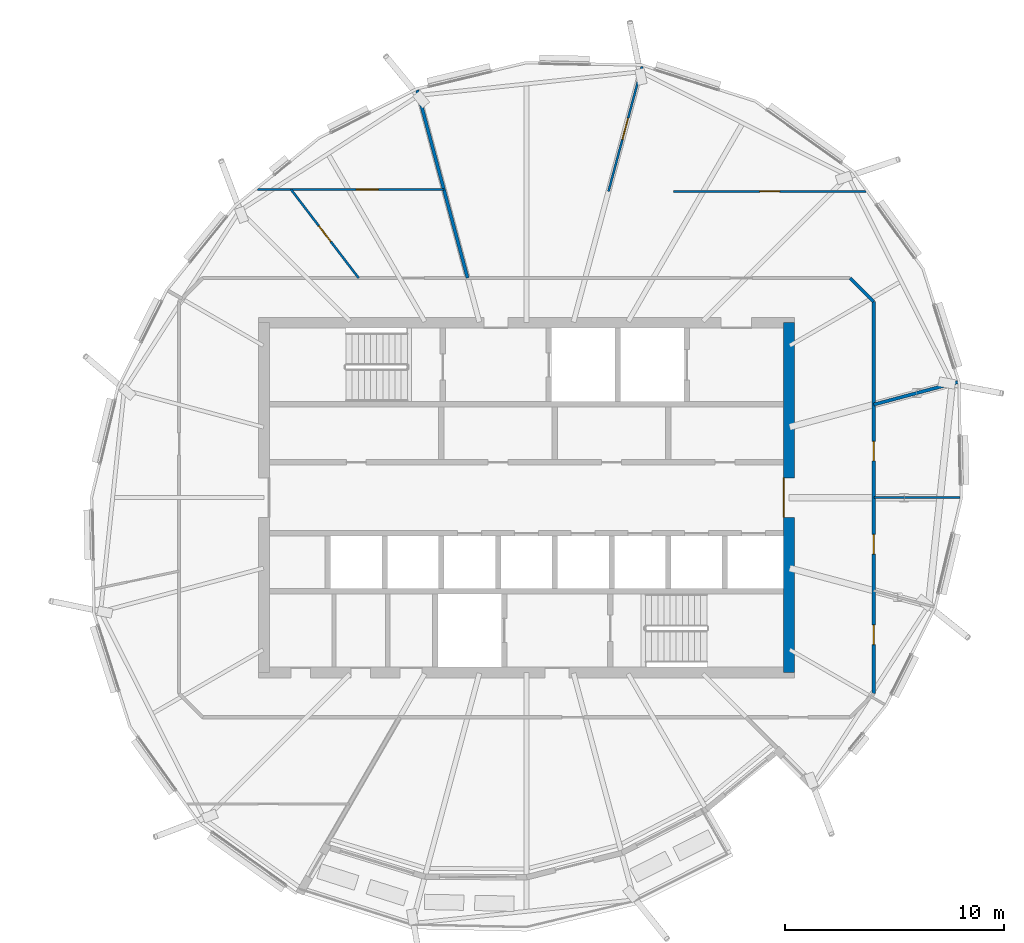
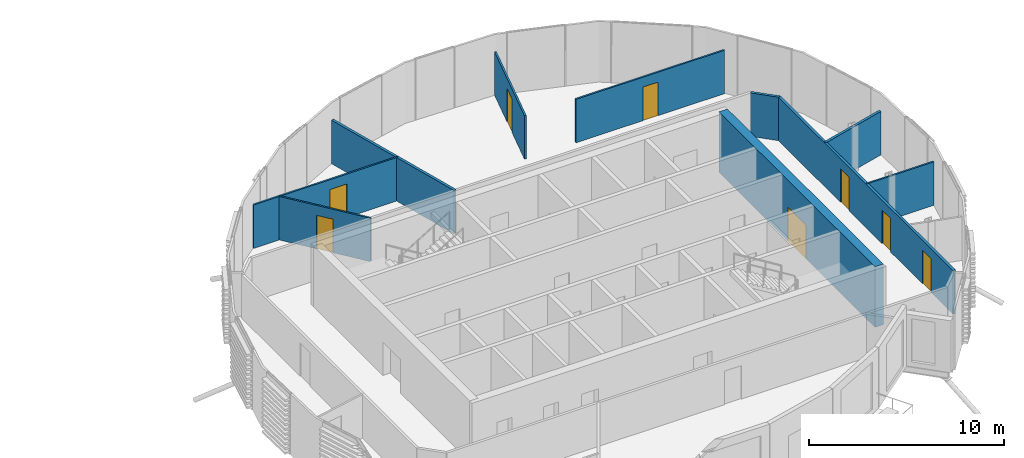
# One storey, part 25 of 41: 10 walls, 8 doors, 8 openings.
"""IFC4 building model written with IfcOpenShell, lengths in metres."""

from ifc_helpers import new_model, si_unit, direction, frame, frame_2d, origin, place, context, subcontext, project, spatial, rectangle, extrude, material, layer, layer_set, type_object, element, fill, save


model = new_model("IFC4")

# Units and contexts
model_context = context("Model", 3, precision=1e-05, world=origin(), true_north=direction((0.0, 1.0)))
body_context = subcontext(model_context, "Body", "Model", "MODEL_VIEW")
ifc_project = project(units=[si_unit("LENGTHUNIT", "METRE"), si_unit("AREAUNIT", "SQUARE_METRE"), si_unit("VOLUMEUNIT", "CUBIC_METRE"), si_unit("PLANEANGLEUNIT", "RADIAN"), si_unit("MASSUNIT", "GRAM", prefix="KILO")], contexts=[model_context])

# Site, building, storey
site_placement = place(None, origin())
site = spatial("IfcSite", under=ifc_project, at=site_placement, CompositionType="ELEMENT")
building_placement = place(site_placement, origin())
building = spatial("IfcBuilding", under=site, at=building_placement, Name="Rimbun Link Towers", CompositionType="ELEMENT")
storey_placement = place(building_placement, frame((0.0, 0.0, 210.5)))
storey = spatial("IfcBuildingStorey", under=building, at=storey_placement, Name="L51", CompositionType="ELEMENT", Elevation=210.5)

# Wall, opening, door
ifc_material_1 = material(Name="Concrete C60/75", Category="concrete")
ifc_layer_1 = layer(ifc_material_1, 0.5)
ifc_layer_set_1 = layer_set([ifc_layer_1], Name="Core shear wall 500")
wall_type_1 = type_object("IfcWallType", Name="Core shear wall 500", PredefinedType="SHEAR", material=ifc_layer_set_1)
wall_1_placement = place(storey_placement, frame((43.75, -8.0, 0.0), z_axis=(0.0, 0.0, 1.0), x_axis=(0.0, 1.0, 0.0)))
wall_1 = element("IfcWall", 1, at=wall_1_placement, inside=storey, type_object=wall_type_1, Name="L51 T2 core wall E", PredefinedType="SHEAR", context=body_context, shape_type="SweptSolid", body=[
    extrude(rectangle(XDim=16.0, YDim=0.5, at=frame_2d((8.0, 0.0))), origin(), (0.0, 0.0, 1.0), 3.800048828125),
])
opening_1_placement = place(wall_1_placement, frame((7.10009765625, 0.0, 0.0)))
opening_1 = element("IfcOpeningElement", 2, at=opening_1_placement, cuts=wall_1, Name="Opening C2DCL01E", PredefinedType="OPENING", context=body_context, shape_type="SweptSolid", body=[
    extrude(rectangle(XDim=1.800048828125, YDim=2.10009765625, at=frame_2d((0.89990234375, 1.050048828125))), frame((0.0, 0.260009765625, 0.0), z_axis=(0.0, -1.0, 0.0), x_axis=(1.0, 0.0, 0.0)), (0.0, 0.0, 1.0), 0.52001953125),
])
ifc_material_2 = material(Name="Steel fire door set", Category="steel")
door_type_1 = type_object("IfcDoorType", Name="Core lobby door double", OperationType="DOUBLE_DOOR_SINGLE_SWING", PredefinedType="DOOR", material=ifc_material_2)
door_1_placement = place(opening_1_placement, origin())
door_1 = element("IfcDoor", 3, at=door_1_placement, inside=storey, type_object=door_type_1, Name="L51 T2 lift lobby door", OperationType="DOUBLE_DOOR_SINGLE_SWING", OverallHeight=2.10009765625, OverallWidth=1.800048828125, PredefinedType="DOOR", context=body_context, shape_type="SweptSolid", body=[
    extrude(rectangle(XDim=1.800048828125, YDim=2.10009765625, at=frame_2d((0.89990234375, 1.050048828125))), frame((0.0, 0.25, 0.0), z_axis=(0.0, -1.0, 0.0), x_axis=(1.0, 0.0, 0.0)), (0.0, 0.0, 1.0), 0.050048828125),
])
fill(opening_1, door_1)

# Wall
ifc_material_3 = material(Name="Plasterboard on steel stud, mineral wool", Category="steel")
ifc_layer_2 = layer(ifc_material_3, 0.14990234375)
ifc_layer_set_2 = layer_set([ifc_layer_2], Name="Corridor wall EI 30 150 mm")
wall_type_2 = type_object("IfcWallType", Name="Corridor wall EI 30 150 mm", PredefinedType="PARTITIONING", material=ifc_layer_set_2)
wall_2_placement = place(storey_placement, frame((47.635009765625, 8.963623046875, 0.0), z_axis=(0.0, 0.0, 1.0), x_axis=(-0.707106781187, 0.707106781187, 0.0)))
element("IfcWall", 4, at=wall_2_placement, inside=storey, type_object=wall_type_2, Name="Corridor wall EI 30 150 mm", PredefinedType="PARTITIONING", context=body_context, shape_type="SweptSolid", body=[
    extrude(rectangle(XDim=1.529296875, YDim=0.14990234375, at=frame_2d((0.7646484375, 0.0))), origin(), (0.0, 0.0, 1.0), 2.721923828125),
])

# Wall, openings, doors
wall_3_placement = place(storey_placement, frame((47.635009765625, 8.963623046875, 0.0), z_axis=(0.0, 0.0, 1.0), x_axis=(0.0, -1.0, 0.0)))
wall_3 = element("IfcWall", 5, at=wall_3_placement, inside=storey, type_object=wall_type_2, Name="Corridor wall EI 30 150 mm", PredefinedType="PARTITIONING", context=body_context, shape_type="SweptSolid", body=[
    extrude(rectangle(XDim=17.92724609375, YDim=0.14990234375, at=frame_2d((8.963623046875, 0.0))), origin(), (0.0, 0.0, 1.0), 2.721923828125),
])
opening_2_placement = place(wall_3_placement, frame((14.781982421875, 0.0, 0.0)))
opening_2 = element("IfcOpeningElement", 6, at=opening_2_placement, cuts=wall_3, Name="Opening D02", PredefinedType="OPENING", context=body_context, shape_type="SweptSolid", body=[
    extrude(rectangle(XDim=0.89990234375, YDim=2.10009765625, at=frame_2d((0.449951171875, 1.050048828125))), frame((0.0, 0.0849609375, 0.0), z_axis=(0.0, -1.0, 0.0), x_axis=(1.0, 0.0, 0.0)), (0.0, 0.0, 1.0), 0.169921875),
])
opening_3_placement = place(wall_3_placement, frame((10.641845703125, 0.0, 0.0)))
opening_3 = element("IfcOpeningElement", 7, at=opening_3_placement, cuts=wall_3, Name="Opening D02", PredefinedType="OPENING", context=body_context, shape_type="SweptSolid", body=[
    extrude(rectangle(XDim=0.89990234375, YDim=2.10009765625, at=frame_2d((0.449951171875, 1.050048828125))), frame((0.0, 0.0849609375, 0.0), z_axis=(0.0, -1.0, 0.0), x_axis=(1.0, 0.0, 0.0)), (0.0, 0.0, 1.0), 0.169921875),
])
opening_4_placement = place(wall_3_placement, frame((6.385498046875, 0.0, 0.0)))
opening_4 = element("IfcOpeningElement", 8, at=opening_4_placement, cuts=wall_3, Name="Opening D02", PredefinedType="OPENING", context=body_context, shape_type="SweptSolid", body=[
    extrude(rectangle(XDim=0.89990234375, YDim=2.10009765625, at=frame_2d((0.449951171875, 1.050048828125))), frame((0.0, 0.0849609375, 0.0), z_axis=(0.0, -1.0, 0.0), x_axis=(1.0, 0.0, 0.0)), (0.0, 0.0, 1.0), 0.169921875),
])
ifc_material_4 = material(Name="Fire-resisting timber door leaf", Category="wood")
door_type_2 = type_object("IfcDoorType", Name="Fire door FD30S 900", OperationType="NOTDEFINED", PredefinedType="DOOR", material=ifc_material_4)
door_2_placement = place(opening_2_placement, origin())
door_2 = element("IfcDoor", 9, at=door_2_placement, inside=storey, type_object=door_type_2, Name="Fire door FD30S 900 to Print room", OperationType="SINGLE_SWING_RIGHT", OverallHeight=2.10009765625, OverallWidth=0.89990234375, PredefinedType="DOOR", context=body_context, shape_type="SweptSolid", body=[
    extrude(rectangle(XDim=0.89990234375, YDim=2.10009765625, at=frame_2d((0.449951171875, 1.050048828125))), frame((0.0, 0.02490234375, 0.0), z_axis=(0.0, -1.0, 0.0), x_axis=(1.0, 0.0, 0.0)), (0.0, 0.0, 1.0), 0.050048828125),
])
fill(opening_2, door_2)
door_3_placement = place(opening_3_placement, origin())
door_3 = element("IfcDoor", 10, at=door_3_placement, inside=storey, type_object=door_type_2, Name="Fire door FD30S 900 to Open office", OperationType="SINGLE_SWING_LEFT", OverallHeight=2.10009765625, OverallWidth=0.89990234375, PredefinedType="DOOR", context=body_context, shape_type="SweptSolid", body=[
    extrude(rectangle(XDim=0.89990234375, YDim=2.10009765625, at=frame_2d((0.449951171875, 1.050048828125))), frame((0.0, 0.02490234375, 0.0), z_axis=(0.0, -1.0, 0.0), x_axis=(1.0, 0.0, 0.0)), (0.0, 0.0, 1.0), 0.050048828125),
])
fill(opening_3, door_3)
door_4_placement = place(opening_4_placement, origin())
door_4 = element("IfcDoor", 11, at=door_4_placement, inside=storey, type_object=door_type_2, Name="Fire door FD30S 900 to Meeting room", OperationType="SINGLE_SWING_RIGHT", OverallHeight=2.10009765625, OverallWidth=0.89990234375, PredefinedType="DOOR", context=body_context, shape_type="SweptSolid", body=[
    extrude(rectangle(XDim=0.89990234375, YDim=2.10009765625, at=frame_2d((0.449951171875, 1.050048828125))), frame((0.0, 0.02490234375, 0.0), z_axis=(0.0, -1.0, 0.0), x_axis=(1.0, 0.0, 0.0)), (0.0, 0.0, 1.0), 0.050048828125),
])
fill(opening_4, door_4)

# Wall
ifc_material_5 = material(Name="Plasterboard on steel stud", Category="steel")
ifc_layer_3 = layer(ifc_material_5, 0.10009765625)
ifc_layer_set_3 = layer_set([ifc_layer_3], Name="Plasterboard partition 100 mm")
wall_type_3 = type_object("IfcWallType", Name="Plasterboard partition 100 mm", PredefinedType="PARTITIONING", material=ifc_layer_set_3)
wall_4_placement = place(storey_placement, frame((51.586181640625, 0.0, 0.0), z_axis=(0.0, 0.0, 1.0), x_axis=(-1.0, 0.0, 0.0)))
element("IfcWall", 12, at=wall_4_placement, inside=storey, type_object=wall_type_3, Name="Plasterboard partition 100 mm", PredefinedType="PARTITIONING", context=body_context, shape_type="SweptSolid", body=[
    extrude(rectangle(XDim=3.951171875, YDim=0.10009765625, at=frame_2d((1.9755859375, 0.0))), origin(), (0.0, 0.0, 1.0), 2.721923828125),
])

# Wall, opening, door
wall_5_placement = place(storey_placement, frame((38.480712890625, 14.0048828125, 0.0), z_axis=(0.0, 0.0, 1.0), x_axis=(1.0, 0.0, 0.0)))
wall_5 = element("IfcWall", 13, at=wall_5_placement, inside=storey, type_object=wall_type_3, Name="Plasterboard partition 100 mm", PredefinedType="PARTITIONING", context=body_context, shape_type="SweptSolid", body=[
    extrude(rectangle(XDim=8.79736328125, YDim=0.10009765625, at=frame_2d((4.398681640625, 0.0))), origin(), (0.0, 0.0, 1.0), 2.721923828125),
])
opening_5_placement = place(wall_5_placement, frame((3.94873046875, 0.0, 0.0)))
opening_5 = element("IfcOpeningElement", 14, at=opening_5_placement, cuts=wall_5, Name="Opening D04", PredefinedType="OPENING", context=body_context, shape_type="SweptSolid", body=[
    extrude(rectangle(XDim=0.89990234375, YDim=2.10009765625, at=frame_2d((0.449951171875, 1.050048828125))), frame((0.0, 0.06005859375, 0.0), z_axis=(0.0, -1.0, 0.0), x_axis=(1.0, 0.0, 0.0)), (0.0, 0.0, 1.0), 0.1201171875),
])
ifc_material_6 = material(Name="Timber door leaf", Category="wood")
door_type_3 = type_object("IfcDoorType", Name="Flush door 900", OperationType="NOTDEFINED", PredefinedType="DOOR", material=ifc_material_6)
door_5_placement = place(opening_5_placement, origin())
door_5 = element("IfcDoor", 15, at=door_5_placement, inside=storey, type_object=door_type_3, Name="Flush door 900 to Executive office", OperationType="SINGLE_SWING_LEFT", OverallHeight=2.10009765625, OverallWidth=0.89990234375, PredefinedType="DOOR", context=body_context, shape_type="SweptSolid", body=[
    extrude(rectangle(XDim=0.89990234375, YDim=2.10009765625, at=frame_2d((0.449951171875, 1.050048828125))), frame((0.0, 0.02490234375, 0.0), z_axis=(0.0, -1.0, 0.0), x_axis=(1.0, 0.0, 0.0)), (0.0, 0.0, 1.0), 0.050048828125),
])
fill(opening_5, door_5)

wall_6_placement = place(storey_placement, frame((35.502685546875, 14.0048828125, 0.0), z_axis=(0.0, 0.0, 1.0), x_axis=(0.258817138087, 0.96592633727, 0.0)))
wall_6 = element("IfcWall", 16, at=wall_6_placement, inside=storey, type_object=wall_type_3, Name="Plasterboard partition 100 mm", PredefinedType="PARTITIONING", context=body_context, shape_type="SweptSolid", body=[
    extrude(rectangle(XDim=5.922119140625, YDim=0.10009765625, at=frame_2d((2.9609375, 0.0))), origin(), (0.0, 0.0, 1.0), 2.721923828125),
])
opening_6_placement = place(wall_6_placement, frame((2.4609375, 0.0, 0.0)))
opening_6 = element("IfcOpeningElement", 17, at=opening_6_placement, cuts=wall_6, Name="Opening D03", PredefinedType="OPENING", context=body_context, shape_type="SweptSolid", body=[
    extrude(rectangle(XDim=1.0, YDim=2.10009765625, at=frame_2d((0.5, 1.050048828125))), frame((0.0, 0.06005859375, 0.0), z_axis=(0.0, -1.0, 0.0), x_axis=(1.0, 0.0, 0.0)), (0.0, 0.0, 1.0), 0.1201171875),
])
ifc_material_7 = material(Name="Timber door leaf", Category="wood")
door_type_4 = type_object("IfcDoorType", Name="Flush door 1000", OperationType="NOTDEFINED", PredefinedType="DOOR", material=ifc_material_7)
door_6_placement = place(opening_6_placement, origin())
door_6 = element("IfcDoor", 18, at=door_6_placement, inside=storey, type_object=door_type_4, Name="Flush door 1000 to Open office", OperationType="SINGLE_SWING_LEFT", OverallHeight=2.10009765625, OverallWidth=1.0, PredefinedType="DOOR", context=body_context, shape_type="SweptSolid", body=[
    extrude(rectangle(XDim=1.0, YDim=2.10009765625, at=frame_2d((0.5, 1.050048828125))), frame((0.0, 0.02490234375, 0.0), z_axis=(0.0, -1.0, 0.0), x_axis=(1.0, 0.0, 0.0)), (0.0, 0.0, 1.0), 0.050048828125),
])
fill(opening_6, door_6)

wall_7_placement = place(storey_placement, frame((24.07568359375, 10.044921875, 0.0), z_axis=(0.0, 0.0, 1.0), x_axis=(-0.607096228964, 0.794628321152, 0.0)))
wall_7 = element("IfcWall", 19, at=wall_7_placement, inside=storey, type_object=wall_type_3, Name="Plasterboard partition 100 mm", PredefinedType="PARTITIONING", context=body_context, shape_type="SweptSolid", body=[
    extrude(rectangle(XDim=5.0966796875, YDim=0.10009765625, at=frame_2d((2.54833984375, 0.0))), origin(), (0.0, 0.0, 1.0), 2.721923828125),
])
opening_7_placement = place(wall_7_placement, frame((2.098388671875, 0.0, 0.0)))
opening_7 = element("IfcOpeningElement", 20, at=opening_7_placement, cuts=wall_7, Name="Opening D04", PredefinedType="OPENING", context=body_context, shape_type="SweptSolid", body=[
    extrude(rectangle(XDim=0.89990234375, YDim=2.10009765625, at=frame_2d((0.449951171875, 1.050048828125))), frame((0.0, 0.06005859375, 0.0), z_axis=(0.0, -1.0, 0.0), x_axis=(1.0, 0.0, 0.0)), (0.0, 0.0, 1.0), 0.1201171875),
])
door_7_placement = place(opening_7_placement, origin())
door_7 = element("IfcDoor", 21, at=door_7_placement, inside=storey, type_object=door_type_3, Name="Flush door 900 to Pantry", OperationType="SINGLE_SWING_RIGHT", OverallHeight=2.10009765625, OverallWidth=0.89990234375, PredefinedType="DOOR", context=body_context, shape_type="SweptSolid", body=[
    extrude(rectangle(XDim=0.89990234375, YDim=2.10009765625, at=frame_2d((0.449951171875, 1.050048828125))), frame((0.0, 0.02490234375, 0.0), z_axis=(0.0, -1.0, 0.0), x_axis=(1.0, 0.0, 0.0)), (0.0, 0.0, 1.0), 0.050048828125),
])
fill(opening_7, door_7)

wall_8_placement = place(storey_placement, frame((19.440673828125, 14.094970703125, 0.0), z_axis=(0.0, 0.0, 1.0), x_axis=(1.0, 0.0, 0.0)))
wall_8 = element("IfcWall", 22, at=wall_8_placement, inside=storey, type_object=wall_type_3, Name="Plasterboard partition 100 mm", PredefinedType="PARTITIONING", context=body_context, shape_type="SweptSolid", body=[
    extrude(rectangle(XDim=8.53271484375, YDim=0.10009765625, at=frame_2d((4.266357421875, 0.0))), origin(), (0.0, 0.0, 1.0), 2.721923828125),
])
opening_8_placement = place(wall_8_placement, frame((4.521728515625, 0.0, 0.0)))
opening_8 = element("IfcOpeningElement", 23, at=opening_8_placement, cuts=wall_8, Name="Opening D03", PredefinedType="OPENING", context=body_context, shape_type="SweptSolid", body=[
    extrude(rectangle(XDim=1.0, YDim=2.10009765625, at=frame_2d((0.5, 1.050048828125))), frame((0.0, 0.06005859375, 0.0), z_axis=(0.0, -1.0, 0.0), x_axis=(1.0, 0.0, 0.0)), (0.0, 0.0, 1.0), 0.1201171875),
])
door_8_placement = place(opening_8_placement, origin())
door_8 = element("IfcDoor", 24, at=door_8_placement, inside=storey, type_object=door_type_4, Name="Flush door 1000 to Boardroom", OperationType="SINGLE_SWING_LEFT", OverallHeight=2.10009765625, OverallWidth=1.0, PredefinedType="DOOR", context=body_context, shape_type="SweptSolid", body=[
    extrude(rectangle(XDim=1.0, YDim=2.10009765625, at=frame_2d((0.5, 1.050048828125))), frame((0.0, 0.02490234375, 0.0), z_axis=(0.0, -1.0, 0.0), x_axis=(1.0, 0.0, 0.0)), (0.0, 0.0, 1.0), 0.050048828125),
])
fill(opening_8, door_8)

# Walls
ifc_material_8 = material(Name="Plasterboard on steel stud, mineral wool", Category="steel")
ifc_layer_4 = layer(ifc_material_8, 0.14990234375)
ifc_layer_set_4 = layer_set([ifc_layer_4], Name="Tenancy separation wall EI 60 150 mm")
wall_type_4 = type_object("IfcWallType", Name="Tenancy separation wall EI 60 150 mm", PredefinedType="PARTITIONING", material=ifc_layer_set_4)
wall_9_placement = place(storey_placement, frame((29.05859375, 10.044921875, 0.0), z_axis=(0.0, 0.0, 1.0), x_axis=(-0.258843948873, 0.965919153, 0.0)))
element("IfcWall", 25, at=wall_9_placement, inside=storey, type_object=wall_type_4, Name="Tenancy separation wall EI 60 150 mm", PredefinedType="PARTITIONING", context=body_context, shape_type="SweptSolid", body=[
    extrude(rectangle(XDim=8.89990234375, YDim=0.14990234375, at=frame_2d((4.449951171875, 0.0))), origin(), (0.0, 0.0, 1.0), 2.721923828125),
])
wall_10_placement = place(storey_placement, frame((47.635009765625, 4.25634765625, 0.0), z_axis=(0.0, 0.0, 1.0), x_axis=(0.965919268115, 0.258843519302, 0.0)))
element("IfcWall", 26, at=wall_10_placement, inside=storey, type_object=wall_type_4, Name="Tenancy separation wall EI 60 150 mm", PredefinedType="PARTITIONING", context=body_context, shape_type="SweptSolid", body=[
    extrude(rectangle(XDim=3.9755859375, YDim=0.14990234375, at=frame_2d((1.98779296875, 0.0))), origin(), (0.0, 0.0, 1.0), 2.721923828125),
])

save(model, "model.ifc")
